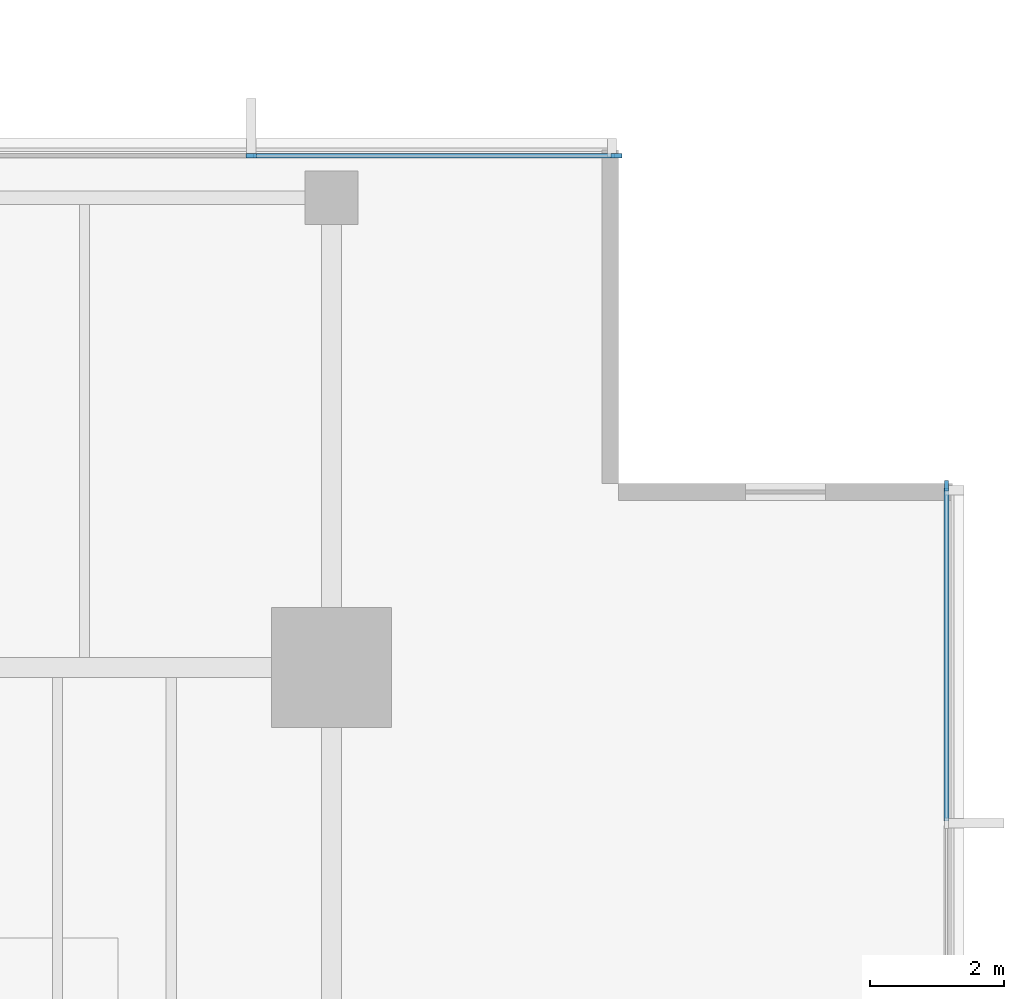
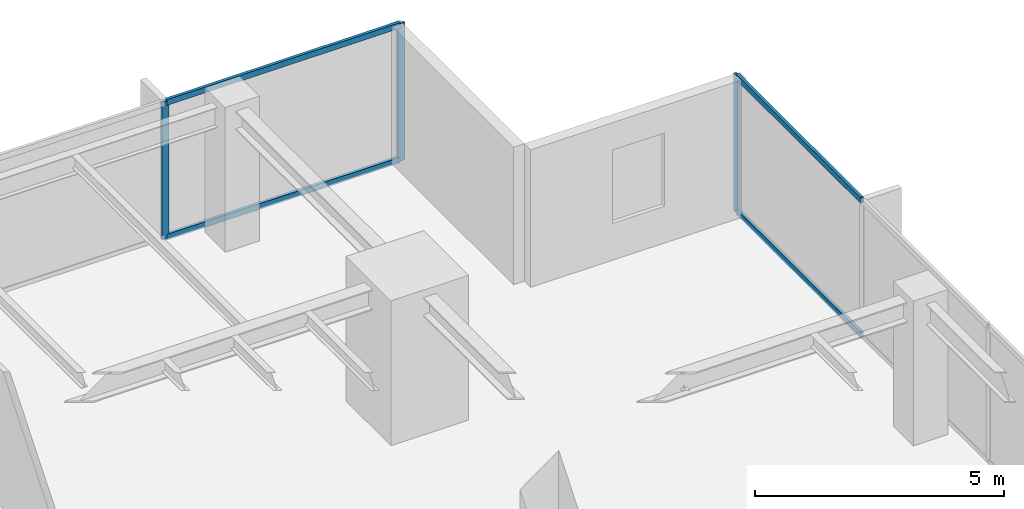
# One storey, part 6 of 14: 7 members, 2 elements without a shape of their own.
"""IFC4 building model written with IfcOpenShell, lengths in metres."""

from ifc_helpers import new_model, si_unit, direction, frame, origin, origin_2d, place, context, subcontext, project, spatial, rectangle, extrude, material, layer, layer_set, material_profile, profile_set, type_object, element, aggregate, save


model = new_model("IFC4")

# Units and contexts
model_context = context("Model", 3, precision=1e-05, world=origin(), true_north=direction((0.0, 1.0)))
body_context = subcontext(model_context, "Body", "Model", "MODEL_VIEW")
ifc_project = project(units=[si_unit("LENGTHUNIT", "METRE"), si_unit("AREAUNIT", "SQUARE_METRE"), si_unit("VOLUMEUNIT", "CUBIC_METRE"), si_unit("PLANEANGLEUNIT", "RADIAN"), si_unit("MASSUNIT", "GRAM", prefix="KILO")], contexts=[model_context])

# Site, building, storey
site_placement = place(None, origin())
site = spatial("IfcSite", under=ifc_project, at=site_placement, CompositionType="ELEMENT")
building_placement = place(site_placement, origin())
building = spatial("IfcBuilding", under=site, at=building_placement, Name="Kinhvarn Gate Tower", CompositionType="ELEMENT")
storey_placement = place(building_placement, frame((0.0, 0.0, 191.60009765625)))
storey = spatial("IfcBuildingStorey", under=building, at=storey_placement, Name="L50", CompositionType="ELEMENT", Elevation=191.60009765625)

# Curtain wall, members
ifc_material = material(Name="Anodised aluminium AW-6063", Category="aluminium")
ifc_layer = layer(ifc_material, 0.179931640625)
ifc_layer_set = layer_set([ifc_layer], Name="Anodised aluminium AW-6063")
curtain_wall_type = type_object("IfcCurtainWallType", Name="CW-SYS-3", PredefinedType="NOTDEFINED", material=ifc_layer_set)
curtain_wall_1_placement = place(storey_placement, origin())
curtain_wall_1 = element("IfcCurtainWall", 1, at=curtain_wall_1_placement, inside=storey, type_object=curtain_wall_type, Name="Curtain Wall CW3 (L50)", PredefinedType="NOTDEFINED")
ifc_material_profile_1 = material_profile(ifc_material, rectangle(XDim=0.06494140625, YDim=0.159912109375, at=origin_2d()), Name="ALU 65x160")
ifc_profile_set_1 = profile_set([ifc_material_profile_1], Name="Anodised aluminium AW-6063")
member_type_1 = type_object("IfcMemberType", Name="CW-MUL-160", PredefinedType="MULLION", material=ifc_profile_set_1)
member_1_placement = place(storey_placement, frame((42.467529296875, 45.409912109375, 0.0), z_axis=(0.0, 0.0, 1.0), x_axis=(0.0, -1.0, 0.0)))
member_1 = element("IfcMember", 2, at=member_1_placement, type_object=member_type_1, Name="CW3 mullion 1", PredefinedType="MULLION", context=body_context, shape_type="SweptSolid", body=[
    extrude(rectangle(XDim=0.06494140625, YDim=0.159912109375, at=origin_2d()), origin(), (0.0, 0.0, 1.0), 3.369873046875),
])
member_2_placement = place(storey_placement, frame((37.0, 45.409912109375, 0.0), z_axis=(0.0, 0.0, 1.0), x_axis=(0.0, -1.0, 0.0)))
member_2 = element("IfcMember", 3, at=member_2_placement, type_object=member_type_1, Name="CW3 mullion 2", PredefinedType="MULLION", context=body_context, shape_type="SweptSolid", body=[
    extrude(rectangle(XDim=0.06494140625, YDim=0.159912109375, at=origin_2d()), origin(), (0.0, 0.0, 1.0), 3.369873046875),
])

# Curtain wall, member
curtain_wall_2_placement = place(storey_placement, origin())
curtain_wall_2 = element("IfcCurtainWall", 4, at=curtain_wall_2_placement, inside=storey, type_object=curtain_wall_type, Name="Curtain Wall CW3 (L50)", PredefinedType="NOTDEFINED")
member_3_placement = place(storey_placement, frame((47.409912109375, 40.467529296875, 0.0), z_axis=(0.0, 0.0, 1.0), x_axis=(-1.0, 0.0, 0.0)))
member_3 = element("IfcMember", 5, at=member_3_placement, type_object=member_type_1, Name="CW3 mullion 7", PredefinedType="MULLION", context=body_context, shape_type="SweptSolid", body=[
    extrude(rectangle(XDim=0.06494140625, YDim=0.159912109375, at=origin_2d()), origin(), (0.0, 0.0, 1.0), 3.369873046875),
])

# Member
ifc_material_profile_2 = material_profile(ifc_material, rectangle(XDim=0.070068359375, YDim=0.139892578125, at=origin_2d()), Name="ALU 70x140")
ifc_profile_set_2 = profile_set([ifc_material_profile_2], Name="Anodised aluminium AW-6063")
member_type_2 = type_object("IfcMemberType", Name="CW-TRN-140", PredefinedType="USERDEFINED", material=ifc_profile_set_2)
member_4_placement = place(storey_placement, frame((42.43505859375, 45.409912109375, 0.034912109375), z_axis=(-1.0, 0.0, 0.0), x_axis=(0.0, -1.0, 0.0)))
member_4 = element("IfcMember", 6, at=member_4_placement, type_object=member_type_2, Name="CW3 transom 1.1", ObjectType="TRANSOM", PredefinedType="USERDEFINED", context=body_context, shape_type="SweptSolid", body=[
    extrude(rectangle(XDim=0.070068359375, YDim=0.139892578125, at=origin_2d()), origin(), (0.0, 0.0, 1.0), 5.402587890625),
])

member_5_placement = place(storey_placement, frame((42.43505859375, 45.409912109375, 3.3349609375), z_axis=(-1.0, 0.0, 0.0), x_axis=(0.0, -1.0, 0.0)))
member_5 = element("IfcMember", 7, at=member_5_placement, type_object=member_type_2, Name="CW3 transom 1.2", ObjectType="TRANSOM", PredefinedType="USERDEFINED", context=body_context, shape_type="SweptSolid", body=[
    extrude(rectangle(XDim=0.070068359375, YDim=0.139892578125, at=origin_2d()), origin(), (0.0, 0.0, 1.0), 5.402587890625),
])

aggregate(curtain_wall_1, [member_1, member_2, member_4, member_5])

member_6_placement = place(storey_placement, frame((47.409912109375, 35.44921875, 0.034912109375), z_axis=(0.0, 1.0, 0.0), x_axis=(-1.0, 0.0, 0.0)))
member_6 = element("IfcMember", 8, at=member_6_placement, type_object=member_type_2, Name="CW3 transom 6.1", ObjectType="TRANSOM", PredefinedType="USERDEFINED", context=body_context, shape_type="SweptSolid", body=[
    extrude(rectangle(XDim=0.070068359375, YDim=0.139892578125, at=origin_2d()), origin(), (0.0, 0.0, 1.0), 4.98583984375),
])

member_7_placement = place(storey_placement, frame((47.409912109375, 35.44921875, 3.3349609375), z_axis=(0.0, 1.0, 0.0), x_axis=(-1.0, 0.0, 0.0)))
member_7 = element("IfcMember", 9, at=member_7_placement, type_object=member_type_2, Name="CW3 transom 6.2", ObjectType="TRANSOM", PredefinedType="USERDEFINED", context=body_context, shape_type="SweptSolid", body=[
    extrude(rectangle(XDim=0.070068359375, YDim=0.139892578125, at=origin_2d()), origin(), (0.0, 0.0, 1.0), 4.98583984375),
])

aggregate(curtain_wall_2, [member_3, member_6, member_7])

save(model, "model.ifc")
